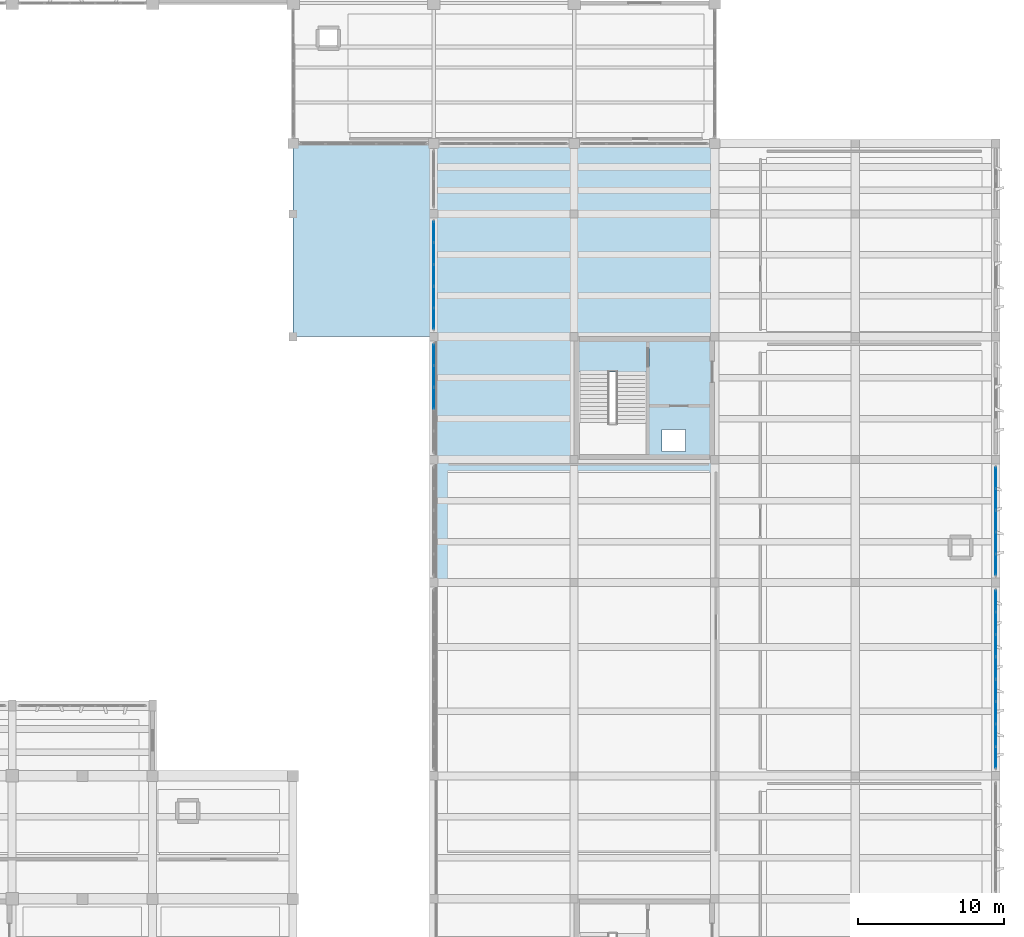
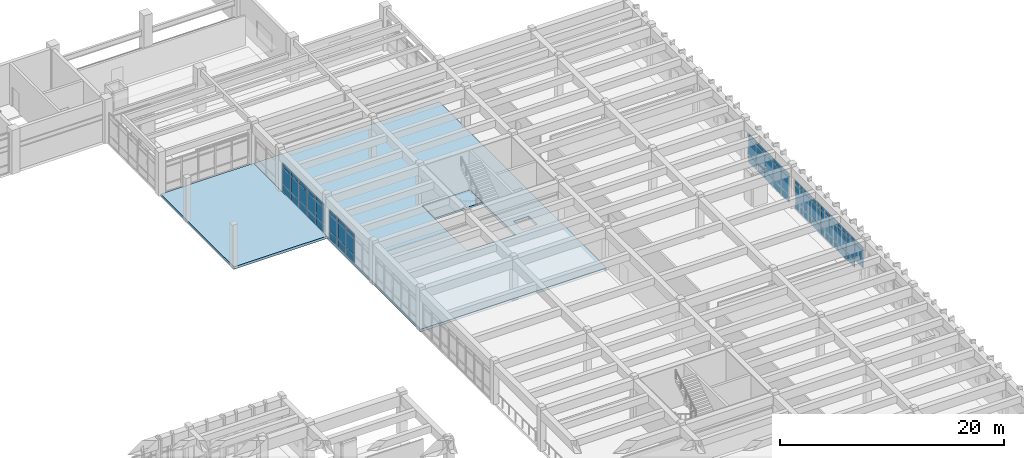
# One storey, part 56 of 86: 62 plates, 3 slabs, 4 elements without a shape of their own.
"""IFC4 building model written with IfcOpenShell, lengths in metres."""

from ifc_helpers import new_model, si_unit, direction, frame, origin, origin_2d, place, context, subcontext, project, spatial, polyline, rectangle, outline, extrude, material, layer, layer_set, type_object, element, aggregate, save


model = new_model("IFC4")

# Units and contexts
model_context = context("Model", 3, precision=1e-05, world=origin(), true_north=direction((0.0, 1.0)))
body_context = subcontext(model_context, "Body", "Model", "MODEL_VIEW")
ifc_project = project(units=[si_unit("LENGTHUNIT", "METRE"), si_unit("AREAUNIT", "SQUARE_METRE"), si_unit("VOLUMEUNIT", "CUBIC_METRE"), si_unit("PLANEANGLEUNIT", "RADIAN"), si_unit("MASSUNIT", "GRAM", prefix="KILO")], contexts=[model_context])

# Site, building, storey
site_placement = place(None, origin())
site = spatial("IfcSite", under=ifc_project, at=site_placement, CompositionType="ELEMENT")
building_placement = place(site_placement, origin())
building = spatial("IfcBuilding", under=site, at=building_placement, Name="Kolvemor Railside Polytechnic", CompositionType="ELEMENT")
storey_placement = place(building_placement, frame((0.0, 0.0, 5.39990234375)))
storey = spatial("IfcBuildingStorey", under=building, at=storey_placement, Name="L01", CompositionType="ELEMENT", Elevation=5.39990234375)

# Curtain wall, plates
ifc_material_1 = material(Name="Anodised marine aluminium and laminated low-E glass", Category="aluminium")
ifc_layer_1 = layer(ifc_material_1, 0.179931640625, Name="CW-UNIT-STD")
ifc_layer_set_1 = layer_set([ifc_layer_1], Name="Anodised marine aluminium and laminated low-E glass")
curtain_wall_type = type_object("IfcCurtainWallType", Name="CW-UNIT-STD", PredefinedType="USERDEFINED", material=ifc_layer_set_1)
curtain_wall_1_placement = place(storey_placement, origin())
curtain_wall_1 = element("IfcCurtainWall", 1, at=curtain_wall_1_placement, inside=storey, type_object=curtain_wall_type, Name="Curtain Wall L01-061", ObjectType="UNITISED CURTAIN WALL", PredefinedType="USERDEFINED")
ifc_material_2 = material(Name="Hurricane-laminated solar-control low-E glass", Category="glass")
ifc_layer_2 = layer(ifc_material_2, 0.0419921875, Name="CWP-GLZ-11")
ifc_layer_set_2 = layer_set([ifc_layer_2], Name="Hurricane-laminated solar-control low-E glass")
plate_type_1 = type_object("IfcPlateType", Name="CWP-GLZ-11", PredefinedType="CURTAIN_PANEL", material=ifc_layer_set_2)
plate_1_placement = place(storey_placement, frame((182.39990234375, 39.655029296875, 0.937744140625), z_axis=(0.0, 0.0, 1.0), x_axis=(0.0, 1.0, 0.0)))
plate_1 = element("IfcPlate", 2, at=plate_1_placement, type_object=plate_type_1, Name="CW-STD panel 1.2", PredefinedType="CURTAIN_PANEL", context=body_context, shape_type="SweptSolid", body=[
    extrude(rectangle(XDim=1.419921875, YDim=0.0419921875, at=origin_2d()), origin(), (0.0, 0.0, 1.0), 1.7548828125),
])
plate_2_placement = place(storey_placement, frame((182.39990234375, 39.655029296875, 2.767578125), z_axis=(0.0, 0.0, 1.0), x_axis=(0.0, 1.0, 0.0)))
plate_2 = element("IfcPlate", 3, at=plate_2_placement, type_object=plate_type_1, Name="CW-STD panel 1.3", PredefinedType="CURTAIN_PANEL", context=body_context, shape_type="SweptSolid", body=[
    extrude(rectangle(XDim=1.419921875, YDim=0.0419921875, at=origin_2d()), origin(), (0.0, 0.0, 1.0), 0.4375),
])
plate_3_placement = place(storey_placement, frame((182.39990234375, 41.168701171875, 0.074951171875), z_axis=(0.0, 0.0, 1.0), x_axis=(0.0, 1.0, 0.0)))
plate_3 = element("IfcPlate", 4, at=plate_3_placement, type_object=plate_type_1, Name="CW-STD panel 2.1", PredefinedType="CURTAIN_PANEL", context=body_context, shape_type="SweptSolid", body=[
    extrude(rectangle(XDim=1.45751953125, YDim=0.0419921875, at=origin_2d()), origin(), (0.0, 0.0, 1.0), 0.78759765625),
])
plate_4_placement = place(storey_placement, frame((182.39990234375, 41.168701171875, 0.937744140625), z_axis=(0.0, 0.0, 1.0), x_axis=(0.0, 1.0, 0.0)))
plate_4 = element("IfcPlate", 5, at=plate_4_placement, type_object=plate_type_1, Name="CW-STD panel 2.2", PredefinedType="CURTAIN_PANEL", context=body_context, shape_type="SweptSolid", body=[
    extrude(rectangle(XDim=1.45751953125, YDim=0.0419921875, at=origin_2d()), origin(), (0.0, 0.0, 1.0), 1.7548828125),
])
plate_5_placement = place(storey_placement, frame((182.39990234375, 41.168701171875, 2.767578125), z_axis=(0.0, 0.0, 1.0), x_axis=(0.0, 1.0, 0.0)))
plate_5 = element("IfcPlate", 6, at=plate_5_placement, type_object=plate_type_1, Name="CW-STD panel 2.3", PredefinedType="CURTAIN_PANEL", context=body_context, shape_type="SweptSolid", body=[
    extrude(rectangle(XDim=1.45751953125, YDim=0.0419921875, at=origin_2d()), origin(), (0.0, 0.0, 1.0), 0.4375),
])
plate_6_placement = place(storey_placement, frame((182.39990234375, 42.701171875, 0.074951171875), z_axis=(0.0, 0.0, 1.0), x_axis=(0.0, 1.0, 0.0)))
plate_6 = element("IfcPlate", 7, at=plate_6_placement, type_object=plate_type_1, Name="CW-STD panel 3.1", PredefinedType="CURTAIN_PANEL", context=body_context, shape_type="SweptSolid", body=[
    extrude(rectangle(XDim=1.45751953125, YDim=0.0419921875, at=origin_2d()), origin(), (0.0, 0.0, 1.0), 0.78759765625),
])
plate_7_placement = place(storey_placement, frame((182.39990234375, 42.701171875, 0.937744140625), z_axis=(0.0, 0.0, 1.0), x_axis=(0.0, 1.0, 0.0)))
plate_7 = element("IfcPlate", 8, at=plate_7_placement, type_object=plate_type_1, Name="CW-STD panel 3.2", PredefinedType="CURTAIN_PANEL", context=body_context, shape_type="SweptSolid", body=[
    extrude(rectangle(XDim=1.45751953125, YDim=0.0419921875, at=origin_2d()), origin(), (0.0, 0.0, 1.0), 1.7548828125),
])
plate_8_placement = place(storey_placement, frame((182.39990234375, 42.701171875, 2.767578125), z_axis=(0.0, 0.0, 1.0), x_axis=(0.0, 1.0, 0.0)))
plate_8 = element("IfcPlate", 9, at=plate_8_placement, type_object=plate_type_1, Name="CW-STD panel 3.3", PredefinedType="CURTAIN_PANEL", context=body_context, shape_type="SweptSolid", body=[
    extrude(rectangle(XDim=1.45751953125, YDim=0.0419921875, at=origin_2d()), origin(), (0.0, 0.0, 1.0), 0.4375),
])
plate_9_placement = place(storey_placement, frame((182.39990234375, 44.233642578125, 0.074951171875), z_axis=(0.0, 0.0, 1.0), x_axis=(0.0, 1.0, 0.0)))
plate_9 = element("IfcPlate", 10, at=plate_9_placement, type_object=plate_type_1, Name="CW-STD panel 4.1", PredefinedType="CURTAIN_PANEL", context=body_context, shape_type="SweptSolid", body=[
    extrude(rectangle(XDim=1.45751953125, YDim=0.0419921875, at=origin_2d()), origin(), (0.0, 0.0, 1.0), 0.78759765625),
])
plate_10_placement = place(storey_placement, frame((182.39990234375, 44.233642578125, 0.937744140625), z_axis=(0.0, 0.0, 1.0), x_axis=(0.0, 1.0, 0.0)))
plate_10 = element("IfcPlate", 11, at=plate_10_placement, type_object=plate_type_1, Name="CW-STD panel 4.2", PredefinedType="CURTAIN_PANEL", context=body_context, shape_type="SweptSolid", body=[
    extrude(rectangle(XDim=1.45751953125, YDim=0.0419921875, at=origin_2d()), origin(), (0.0, 0.0, 1.0), 1.7548828125),
])
plate_11_placement = place(storey_placement, frame((182.39990234375, 44.233642578125, 2.767578125), z_axis=(0.0, 0.0, 1.0), x_axis=(0.0, 1.0, 0.0)))
plate_11 = element("IfcPlate", 12, at=plate_11_placement, type_object=plate_type_1, Name="CW-STD panel 4.3", PredefinedType="CURTAIN_PANEL", context=body_context, shape_type="SweptSolid", body=[
    extrude(rectangle(XDim=1.45751953125, YDim=0.0419921875, at=origin_2d()), origin(), (0.0, 0.0, 1.0), 0.4375),
])
plate_12_placement = place(storey_placement, frame((182.39990234375, 45.766357421875, 0.074951171875), z_axis=(0.0, 0.0, 1.0), x_axis=(0.0, 1.0, 0.0)))
plate_12 = element("IfcPlate", 13, at=plate_12_placement, type_object=plate_type_1, Name="CW-STD panel 5.1", PredefinedType="CURTAIN_PANEL", context=body_context, shape_type="SweptSolid", body=[
    extrude(rectangle(XDim=1.45751953125, YDim=0.0419921875, at=origin_2d()), origin(), (0.0, 0.0, 1.0), 0.78759765625),
])
plate_13_placement = place(storey_placement, frame((182.39990234375, 45.766357421875, 0.937744140625), z_axis=(0.0, 0.0, 1.0), x_axis=(0.0, 1.0, 0.0)))
plate_13 = element("IfcPlate", 14, at=plate_13_placement, type_object=plate_type_1, Name="CW-STD panel 5.2", PredefinedType="CURTAIN_PANEL", context=body_context, shape_type="SweptSolid", body=[
    extrude(rectangle(XDim=1.45751953125, YDim=0.0419921875, at=origin_2d()), origin(), (0.0, 0.0, 1.0), 1.7548828125),
])
plate_14_placement = place(storey_placement, frame((182.39990234375, 45.766357421875, 2.767578125), z_axis=(0.0, 0.0, 1.0), x_axis=(0.0, 1.0, 0.0)))
plate_14 = element("IfcPlate", 15, at=plate_14_placement, type_object=plate_type_1, Name="CW-STD panel 5.3", PredefinedType="CURTAIN_PANEL", context=body_context, shape_type="SweptSolid", body=[
    extrude(rectangle(XDim=1.45751953125, YDim=0.0419921875, at=origin_2d()), origin(), (0.0, 0.0, 1.0), 0.4375),
])
plate_15_placement = place(storey_placement, frame((182.39990234375, 47.298828125, 0.074951171875), z_axis=(0.0, 0.0, 1.0), x_axis=(0.0, 1.0, 0.0)))
plate_15 = element("IfcPlate", 16, at=plate_15_placement, type_object=plate_type_1, Name="CW-STD panel 6.1", PredefinedType="CURTAIN_PANEL", context=body_context, shape_type="SweptSolid", body=[
    extrude(rectangle(XDim=1.45751953125, YDim=0.0419921875, at=origin_2d()), origin(), (0.0, 0.0, 1.0), 0.78759765625),
])
plate_16_placement = place(storey_placement, frame((182.39990234375, 47.298828125, 0.937744140625), z_axis=(0.0, 0.0, 1.0), x_axis=(0.0, 1.0, 0.0)))
plate_16 = element("IfcPlate", 17, at=plate_16_placement, type_object=plate_type_1, Name="CW-STD panel 6.2", PredefinedType="CURTAIN_PANEL", context=body_context, shape_type="SweptSolid", body=[
    extrude(rectangle(XDim=1.45751953125, YDim=0.0419921875, at=origin_2d()), origin(), (0.0, 0.0, 1.0), 1.7548828125),
])
plate_17_placement = place(storey_placement, frame((182.39990234375, 47.298828125, 2.767578125), z_axis=(0.0, 0.0, 1.0), x_axis=(0.0, 1.0, 0.0)))
plate_17 = element("IfcPlate", 18, at=plate_17_placement, type_object=plate_type_1, Name="CW-STD panel 6.3", PredefinedType="CURTAIN_PANEL", context=body_context, shape_type="SweptSolid", body=[
    extrude(rectangle(XDim=1.45751953125, YDim=0.0419921875, at=origin_2d()), origin(), (0.0, 0.0, 1.0), 0.4375),
])
plate_18_placement = place(storey_placement, frame((182.39990234375, 48.831298828125, 0.074951171875), z_axis=(0.0, 0.0, 1.0), x_axis=(0.0, 1.0, 0.0)))
plate_18 = element("IfcPlate", 19, at=plate_18_placement, type_object=plate_type_1, Name="CW-STD panel 7.1", PredefinedType="CURTAIN_PANEL", context=body_context, shape_type="SweptSolid", body=[
    extrude(rectangle(XDim=1.45751953125, YDim=0.0419921875, at=origin_2d()), origin(), (0.0, 0.0, 1.0), 0.78759765625),
])
plate_19_placement = place(storey_placement, frame((182.39990234375, 48.831298828125, 0.937744140625), z_axis=(0.0, 0.0, 1.0), x_axis=(0.0, 1.0, 0.0)))
plate_19 = element("IfcPlate", 20, at=plate_19_placement, type_object=plate_type_1, Name="CW-STD panel 7.2", PredefinedType="CURTAIN_PANEL", context=body_context, shape_type="SweptSolid", body=[
    extrude(rectangle(XDim=1.45751953125, YDim=0.0419921875, at=origin_2d()), origin(), (0.0, 0.0, 1.0), 1.7548828125),
])
plate_20_placement = place(storey_placement, frame((182.39990234375, 48.831298828125, 2.767578125), z_axis=(0.0, 0.0, 1.0), x_axis=(0.0, 1.0, 0.0)))
plate_20 = element("IfcPlate", 21, at=plate_20_placement, type_object=plate_type_1, Name="CW-STD panel 7.3", PredefinedType="CURTAIN_PANEL", context=body_context, shape_type="SweptSolid", body=[
    extrude(rectangle(XDim=1.45751953125, YDim=0.0419921875, at=origin_2d()), origin(), (0.0, 0.0, 1.0), 0.4375),
])
plate_21_placement = place(storey_placement, frame((182.39990234375, 50.344970703125, 0.074951171875), z_axis=(0.0, 0.0, 1.0), x_axis=(0.0, 1.0, 0.0)))
plate_21 = element("IfcPlate", 22, at=plate_21_placement, type_object=plate_type_1, Name="CW-STD panel 8.1", PredefinedType="CURTAIN_PANEL", context=body_context, shape_type="SweptSolid", body=[
    extrude(rectangle(XDim=1.419921875, YDim=0.0419921875, at=origin_2d()), origin(), (0.0, 0.0, 1.0), 0.78759765625),
])
plate_22_placement = place(storey_placement, frame((182.39990234375, 50.344970703125, 0.937744140625), z_axis=(0.0, 0.0, 1.0), x_axis=(0.0, 1.0, 0.0)))
plate_22 = element("IfcPlate", 23, at=plate_22_placement, type_object=plate_type_1, Name="CW-STD panel 8.2", PredefinedType="CURTAIN_PANEL", context=body_context, shape_type="SweptSolid", body=[
    extrude(rectangle(XDim=1.419921875, YDim=0.0419921875, at=origin_2d()), origin(), (0.0, 0.0, 1.0), 1.7548828125),
])
plate_23_placement = place(storey_placement, frame((182.39990234375, 50.344970703125, 2.767578125), z_axis=(0.0, 0.0, 1.0), x_axis=(0.0, 1.0, 0.0)))
plate_23 = element("IfcPlate", 24, at=plate_23_placement, type_object=plate_type_1, Name="CW-STD panel 8.3", PredefinedType="CURTAIN_PANEL", context=body_context, shape_type="SweptSolid", body=[
    extrude(rectangle(XDim=1.419921875, YDim=0.0419921875, at=origin_2d()), origin(), (0.0, 0.0, 1.0), 0.4375),
])
aggregate(curtain_wall_1, [plate_1, plate_2, plate_3, plate_4, plate_5, plate_6, plate_7, plate_8, plate_9, plate_10, plate_11, plate_12, plate_13, plate_14, plate_15, plate_16, plate_17, plate_18, plate_19, plate_20, plate_21, plate_22, plate_23])

curtain_wall_2_placement = place(storey_placement, origin())
curtain_wall_2 = element("IfcCurtainWall", 25, at=curtain_wall_2_placement, inside=storey, type_object=curtain_wall_type, Name="Curtain Wall L01-071", ObjectType="UNITISED CURTAIN WALL", PredefinedType="USERDEFINED")
ifc_material_3 = material(Name="Hurricane-laminated solar-control low-E glass", Category="glass")
ifc_layer_3 = layer(ifc_material_3, 0.0439453125, Name="CWP-GLZ-12")
ifc_layer_set_3 = layer_set([ifc_layer_3], Name="Hurricane-laminated solar-control low-E glass")
plate_type_2 = type_object("IfcPlateType", Name="CWP-GLZ-12", PredefinedType="CURTAIN_PANEL", material=ifc_layer_set_3)
plate_24_placement = place(storey_placement, frame((182.39990234375, 52.834716796875, 0.074951171875), z_axis=(0.0, 0.0, 1.0), x_axis=(0.0, 1.0, 0.0)))
plate_24 = element("IfcPlate", 26, at=plate_24_placement, type_object=plate_type_2, Name="CW-STD panel 1.1", PredefinedType="CURTAIN_PANEL", context=body_context, shape_type="SweptSolid", body=[
    extrude(rectangle(XDim=1.37939453125, YDim=0.0439453125, at=origin_2d()), origin(), (0.0, 0.0, 1.0), 0.78759765625),
])
plate_25_placement = place(storey_placement, frame((182.39990234375, 52.834716796875, 0.937744140625), z_axis=(0.0, 0.0, 1.0), x_axis=(0.0, 1.0, 0.0)))
plate_25 = element("IfcPlate", 27, at=plate_25_placement, type_object=plate_type_2, Name="CW-STD panel 1.2", PredefinedType="CURTAIN_PANEL", context=body_context, shape_type="SweptSolid", body=[
    extrude(rectangle(XDim=1.37939453125, YDim=0.0439453125, at=origin_2d()), origin(), (0.0, 0.0, 1.0), 1.7548828125),
])
plate_26_placement = place(storey_placement, frame((182.39990234375, 52.834716796875, 2.767578125), z_axis=(0.0, 0.0, 1.0), x_axis=(0.0, 1.0, 0.0)))
plate_26 = element("IfcPlate", 28, at=plate_26_placement, type_object=plate_type_2, Name="CW-STD panel 1.3", PredefinedType="CURTAIN_PANEL", context=body_context, shape_type="SweptSolid", body=[
    extrude(rectangle(XDim=1.37939453125, YDim=0.0439453125, at=origin_2d()), origin(), (0.0, 0.0, 1.0), 0.4375),
])
plate_27_placement = place(storey_placement, frame((182.39990234375, 54.30810546875, 0.074951171875), z_axis=(0.0, 0.0, 1.0), x_axis=(0.0, 1.0, 0.0)))
plate_27 = element("IfcPlate", 29, at=plate_27_placement, type_object=plate_type_2, Name="CW-STD panel 2.1", PredefinedType="CURTAIN_PANEL", context=body_context, shape_type="SweptSolid", body=[
    extrude(rectangle(XDim=1.4169921875, YDim=0.0439453125, at=origin_2d()), origin(), (0.0, 0.0, 1.0), 0.78759765625),
])
plate_28_placement = place(storey_placement, frame((182.39990234375, 54.30810546875, 0.937744140625), z_axis=(0.0, 0.0, 1.0), x_axis=(0.0, 1.0, 0.0)))
plate_28 = element("IfcPlate", 30, at=plate_28_placement, type_object=plate_type_2, Name="CW-STD panel 2.2", PredefinedType="CURTAIN_PANEL", context=body_context, shape_type="SweptSolid", body=[
    extrude(rectangle(XDim=1.4169921875, YDim=0.0439453125, at=origin_2d()), origin(), (0.0, 0.0, 1.0), 1.7548828125),
])
plate_29_placement = place(storey_placement, frame((182.39990234375, 54.30810546875, 2.767578125), z_axis=(0.0, 0.0, 1.0), x_axis=(0.0, 1.0, 0.0)))
plate_29 = element("IfcPlate", 31, at=plate_29_placement, type_object=plate_type_2, Name="CW-STD panel 2.3", PredefinedType="CURTAIN_PANEL", context=body_context, shape_type="SweptSolid", body=[
    extrude(rectangle(XDim=1.4169921875, YDim=0.0439453125, at=origin_2d()), origin(), (0.0, 0.0, 1.0), 0.4375),
])
plate_30_placement = place(storey_placement, frame((182.39990234375, 55.800048828125, 0.074951171875), z_axis=(0.0, 0.0, 1.0), x_axis=(0.0, 1.0, 0.0)))
plate_30 = element("IfcPlate", 32, at=plate_30_placement, type_object=plate_type_2, Name="CW-STD panel 3.1", PredefinedType="CURTAIN_PANEL", context=body_context, shape_type="SweptSolid", body=[
    extrude(rectangle(XDim=1.4169921875, YDim=0.0439453125, at=origin_2d()), origin(), (0.0, 0.0, 1.0), 0.78759765625),
])
plate_31_placement = place(storey_placement, frame((182.39990234375, 55.800048828125, 0.937744140625), z_axis=(0.0, 0.0, 1.0), x_axis=(0.0, 1.0, 0.0)))
plate_31 = element("IfcPlate", 33, at=plate_31_placement, type_object=plate_type_2, Name="CW-STD panel 3.2", PredefinedType="CURTAIN_PANEL", context=body_context, shape_type="SweptSolid", body=[
    extrude(rectangle(XDim=1.4169921875, YDim=0.0439453125, at=origin_2d()), origin(), (0.0, 0.0, 1.0), 1.7548828125),
])
plate_32_placement = place(storey_placement, frame((182.39990234375, 55.800048828125, 2.767578125), z_axis=(0.0, 0.0, 1.0), x_axis=(0.0, 1.0, 0.0)))
plate_32 = element("IfcPlate", 34, at=plate_32_placement, type_object=plate_type_2, Name="CW-STD panel 3.3", PredefinedType="CURTAIN_PANEL", context=body_context, shape_type="SweptSolid", body=[
    extrude(rectangle(XDim=1.4169921875, YDim=0.0439453125, at=origin_2d()), origin(), (0.0, 0.0, 1.0), 0.4375),
])
plate_33_placement = place(storey_placement, frame((182.39990234375, 57.2919921875, 0.074951171875), z_axis=(0.0, 0.0, 1.0), x_axis=(0.0, 1.0, 0.0)))
plate_33 = element("IfcPlate", 35, at=plate_33_placement, type_object=plate_type_2, Name="CW-STD panel 4.1", PredefinedType="CURTAIN_PANEL", context=body_context, shape_type="SweptSolid", body=[
    extrude(rectangle(XDim=1.4169921875, YDim=0.0439453125, at=origin_2d()), origin(), (0.0, 0.0, 1.0), 0.78759765625),
])
plate_34_placement = place(storey_placement, frame((182.39990234375, 57.2919921875, 0.937744140625), z_axis=(0.0, 0.0, 1.0), x_axis=(0.0, 1.0, 0.0)))
plate_34 = element("IfcPlate", 36, at=plate_34_placement, type_object=plate_type_2, Name="CW-STD panel 4.2", PredefinedType="CURTAIN_PANEL", context=body_context, shape_type="SweptSolid", body=[
    extrude(rectangle(XDim=1.4169921875, YDim=0.0439453125, at=origin_2d()), origin(), (0.0, 0.0, 1.0), 1.7548828125),
])
plate_35_placement = place(storey_placement, frame((182.39990234375, 57.2919921875, 2.767578125), z_axis=(0.0, 0.0, 1.0), x_axis=(0.0, 1.0, 0.0)))
plate_35 = element("IfcPlate", 37, at=plate_35_placement, type_object=plate_type_2, Name="CW-STD panel 4.3", PredefinedType="CURTAIN_PANEL", context=body_context, shape_type="SweptSolid", body=[
    extrude(rectangle(XDim=1.4169921875, YDim=0.0439453125, at=origin_2d()), origin(), (0.0, 0.0, 1.0), 0.4375),
])
plate_36_placement = place(storey_placement, frame((182.39990234375, 58.76513671875, 0.074951171875), z_axis=(0.0, 0.0, 1.0), x_axis=(0.0, 1.0, 0.0)))
plate_36 = element("IfcPlate", 38, at=plate_36_placement, type_object=plate_type_2, Name="CW-STD panel 5.1", PredefinedType="CURTAIN_PANEL", context=body_context, shape_type="SweptSolid", body=[
    extrude(rectangle(XDim=1.37939453125, YDim=0.0439453125, at=origin_2d()), origin(), (0.0, 0.0, 1.0), 0.78759765625),
])
plate_37_placement = place(storey_placement, frame((182.39990234375, 58.76513671875, 0.937744140625), z_axis=(0.0, 0.0, 1.0), x_axis=(0.0, 1.0, 0.0)))
plate_37 = element("IfcPlate", 39, at=plate_37_placement, type_object=plate_type_2, Name="CW-STD panel 5.2", PredefinedType="CURTAIN_PANEL", context=body_context, shape_type="SweptSolid", body=[
    extrude(rectangle(XDim=1.37939453125, YDim=0.0439453125, at=origin_2d()), origin(), (0.0, 0.0, 1.0), 1.7548828125),
])
plate_38_placement = place(storey_placement, frame((182.39990234375, 58.76513671875, 2.767578125), z_axis=(0.0, 0.0, 1.0), x_axis=(0.0, 1.0, 0.0)))
plate_38 = element("IfcPlate", 40, at=plate_38_placement, type_object=plate_type_2, Name="CW-STD panel 5.3", PredefinedType="CURTAIN_PANEL", context=body_context, shape_type="SweptSolid", body=[
    extrude(rectangle(XDim=1.37939453125, YDim=0.0439453125, at=origin_2d()), origin(), (0.0, 0.0, 1.0), 0.4375),
])
aggregate(curtain_wall_2, [plate_24, plate_25, plate_26, plate_27, plate_28, plate_29, plate_30, plate_31, plate_32, plate_33, plate_34, plate_35, plate_36, plate_37, plate_38])

curtain_wall_3_placement = place(storey_placement, origin())
curtain_wall_3 = element("IfcCurtainWall", 41, at=curtain_wall_3_placement, inside=storey, type_object=curtain_wall_type, Name="Curtain Wall L01-080", ObjectType="UNITISED CURTAIN WALL", PredefinedType="USERDEFINED")
ifc_material_4 = material(Name="Hurricane-laminated solar-control low-E glass", Category="glass")
ifc_layer_4 = layer(ifc_material_4, 0.050048828125, Name="CWP-GLZ-15")
ifc_layer_set_4 = layer_set([ifc_layer_4], Name="Hurricane-laminated solar-control low-E glass")
plate_type_3 = type_object("IfcPlateType", Name="CWP-GLZ-15", PredefinedType="CURTAIN_PANEL", material=ifc_layer_set_4)
plate_39_placement = place(storey_placement, frame((144.0, 67.165283203125, 0.074951171875), z_axis=(0.0, 0.0, 1.0), x_axis=(0.0, -1.0, 0.0)))
plate_39 = element("IfcPlate", 42, at=plate_39_placement, type_object=plate_type_3, Name="CW-STD panel 1.1", PredefinedType="CURTAIN_PANEL", context=body_context, shape_type="SweptSolid", body=[
    extrude(rectangle(XDim=1.37939453125, YDim=0.050048828125, at=origin_2d()), origin(), (0.0, 0.0, 1.0), 0.78759765625),
])
plate_40_placement = place(storey_placement, frame((144.0, 67.165283203125, 0.937744140625), z_axis=(0.0, 0.0, 1.0), x_axis=(0.0, -1.0, 0.0)))
plate_40 = element("IfcPlate", 43, at=plate_40_placement, type_object=plate_type_3, Name="CW-STD panel 1.2", PredefinedType="CURTAIN_PANEL", context=body_context, shape_type="SweptSolid", body=[
    extrude(rectangle(XDim=1.37939453125, YDim=0.050048828125, at=origin_2d()), origin(), (0.0, 0.0, 1.0), 1.7548828125),
])
plate_41_placement = place(storey_placement, frame((144.0, 67.165283203125, 2.767578125), z_axis=(0.0, 0.0, 1.0), x_axis=(0.0, -1.0, 0.0)))
plate_41 = element("IfcPlate", 44, at=plate_41_placement, type_object=plate_type_3, Name="CW-STD panel 1.3", PredefinedType="CURTAIN_PANEL", context=body_context, shape_type="SweptSolid", body=[
    extrude(rectangle(XDim=1.37939453125, YDim=0.050048828125, at=origin_2d()), origin(), (0.0, 0.0, 1.0), 0.4375),
])
plate_42_placement = place(storey_placement, frame((144.0, 65.69189453125, 0.074951171875), z_axis=(0.0, 0.0, 1.0), x_axis=(0.0, -1.0, 0.0)))
plate_42 = element("IfcPlate", 45, at=plate_42_placement, type_object=plate_type_3, Name="CW-STD panel 2.1", PredefinedType="CURTAIN_PANEL", context=body_context, shape_type="SweptSolid", body=[
    extrude(rectangle(XDim=1.4169921875, YDim=0.050048828125, at=origin_2d()), origin(), (0.0, 0.0, 1.0), 0.78759765625),
])
plate_43_placement = place(storey_placement, frame((144.0, 65.69189453125, 0.937744140625), z_axis=(0.0, 0.0, 1.0), x_axis=(0.0, -1.0, 0.0)))
plate_43 = element("IfcPlate", 46, at=plate_43_placement, type_object=plate_type_3, Name="CW-STD panel 2.2", PredefinedType="CURTAIN_PANEL", context=body_context, shape_type="SweptSolid", body=[
    extrude(rectangle(XDim=1.4169921875, YDim=0.050048828125, at=origin_2d()), origin(), (0.0, 0.0, 1.0), 1.7548828125),
])
plate_44_placement = place(storey_placement, frame((144.0, 65.69189453125, 2.767578125), z_axis=(0.0, 0.0, 1.0), x_axis=(0.0, -1.0, 0.0)))
plate_44 = element("IfcPlate", 47, at=plate_44_placement, type_object=plate_type_3, Name="CW-STD panel 2.3", PredefinedType="CURTAIN_PANEL", context=body_context, shape_type="SweptSolid", body=[
    extrude(rectangle(XDim=1.4169921875, YDim=0.050048828125, at=origin_2d()), origin(), (0.0, 0.0, 1.0), 0.4375),
])
plate_45_placement = place(storey_placement, frame((144.0, 64.199951171875, 0.074951171875), z_axis=(0.0, 0.0, 1.0), x_axis=(0.0, -1.0, 0.0)))
plate_45 = element("IfcPlate", 48, at=plate_45_placement, type_object=plate_type_3, Name="CW-STD panel 3.1", PredefinedType="CURTAIN_PANEL", context=body_context, shape_type="SweptSolid", body=[
    extrude(rectangle(XDim=1.4169921875, YDim=0.050048828125, at=origin_2d()), origin(), (0.0, 0.0, 1.0), 0.78759765625),
])
plate_46_placement = place(storey_placement, frame((144.0, 64.199951171875, 0.937744140625), z_axis=(0.0, 0.0, 1.0), x_axis=(0.0, -1.0, 0.0)))
plate_46 = element("IfcPlate", 49, at=plate_46_placement, type_object=plate_type_3, Name="CW-STD panel 3.2", PredefinedType="CURTAIN_PANEL", context=body_context, shape_type="SweptSolid", body=[
    extrude(rectangle(XDim=1.4169921875, YDim=0.050048828125, at=origin_2d()), origin(), (0.0, 0.0, 1.0), 1.7548828125),
])
plate_47_placement = place(storey_placement, frame((144.0, 64.199951171875, 2.767578125), z_axis=(0.0, 0.0, 1.0), x_axis=(0.0, -1.0, 0.0)))
plate_47 = element("IfcPlate", 50, at=plate_47_placement, type_object=plate_type_3, Name="CW-STD panel 3.3", PredefinedType="CURTAIN_PANEL", context=body_context, shape_type="SweptSolid", body=[
    extrude(rectangle(XDim=1.4169921875, YDim=0.050048828125, at=origin_2d()), origin(), (0.0, 0.0, 1.0), 0.4375),
])
aggregate(curtain_wall_3, [plate_39, plate_40, plate_41, plate_42, plate_43, plate_44, plate_45, plate_46, plate_47])

curtain_wall_4_placement = place(storey_placement, origin())
curtain_wall_4 = element("IfcCurtainWall", 51, at=curtain_wall_4_placement, inside=storey, type_object=curtain_wall_type, Name="Curtain Wall L01-087", ObjectType="UNITISED CURTAIN WALL", PredefinedType="USERDEFINED")
ifc_material_5 = material(Name="Hurricane-laminated solar-control low-E glass", Category="glass")
ifc_layer_5 = layer(ifc_material_5, 0.052001953125, Name="CWP-GLZ-16")
ifc_layer_set_5 = layer_set([ifc_layer_5], Name="Hurricane-laminated solar-control low-E glass")
plate_type_4 = type_object("IfcPlateType", Name="CWP-GLZ-16", PredefinedType="CURTAIN_PANEL", material=ifc_layer_set_5)
plate_48_placement = place(storey_placement, frame((144.0, 75.565185546875, 0.074951171875), z_axis=(0.0, 0.0, 1.0), x_axis=(0.0, -1.0, 0.0)))
plate_48 = element("IfcPlate", 52, at=plate_48_placement, type_object=plate_type_4, Name="CW-STD panel 1.1", PredefinedType="CURTAIN_PANEL", context=body_context, shape_type="SweptSolid", body=[
    extrude(rectangle(XDim=1.37939453125, YDim=0.052001953125, at=origin_2d()), origin(), (0.0, 0.0, 1.0), 0.78759765625),
])
plate_49_placement = place(storey_placement, frame((144.0, 75.565185546875, 0.937744140625), z_axis=(0.0, 0.0, 1.0), x_axis=(0.0, -1.0, 0.0)))
plate_49 = element("IfcPlate", 53, at=plate_49_placement, type_object=plate_type_4, Name="CW-STD panel 1.2", PredefinedType="CURTAIN_PANEL", context=body_context, shape_type="SweptSolid", body=[
    extrude(rectangle(XDim=1.37939453125, YDim=0.052001953125, at=origin_2d()), origin(), (0.0, 0.0, 1.0), 1.7548828125),
])
plate_50_placement = place(storey_placement, frame((144.0, 75.565185546875, 2.767578125), z_axis=(0.0, 0.0, 1.0), x_axis=(0.0, -1.0, 0.0)))
plate_50 = element("IfcPlate", 54, at=plate_50_placement, type_object=plate_type_4, Name="CW-STD panel 1.3", PredefinedType="CURTAIN_PANEL", context=body_context, shape_type="SweptSolid", body=[
    extrude(rectangle(XDim=1.37939453125, YDim=0.052001953125, at=origin_2d()), origin(), (0.0, 0.0, 1.0), 0.4375),
])
plate_51_placement = place(storey_placement, frame((144.0, 74.092041015625, 0.074951171875), z_axis=(0.0, 0.0, 1.0), x_axis=(0.0, -1.0, 0.0)))
plate_51 = element("IfcPlate", 55, at=plate_51_placement, type_object=plate_type_4, Name="CW-STD panel 2.1", PredefinedType="CURTAIN_PANEL", context=body_context, shape_type="SweptSolid", body=[
    extrude(rectangle(XDim=1.4169921875, YDim=0.052001953125, at=origin_2d()), origin(), (0.0, 0.0, 1.0), 0.78759765625),
])
plate_52_placement = place(storey_placement, frame((144.0, 74.092041015625, 0.937744140625), z_axis=(0.0, 0.0, 1.0), x_axis=(0.0, -1.0, 0.0)))
plate_52 = element("IfcPlate", 56, at=plate_52_placement, type_object=plate_type_4, Name="CW-STD panel 2.2", PredefinedType="CURTAIN_PANEL", context=body_context, shape_type="SweptSolid", body=[
    extrude(rectangle(XDim=1.4169921875, YDim=0.052001953125, at=origin_2d()), origin(), (0.0, 0.0, 1.0), 1.7548828125),
])
plate_53_placement = place(storey_placement, frame((144.0, 74.092041015625, 2.767578125), z_axis=(0.0, 0.0, 1.0), x_axis=(0.0, -1.0, 0.0)))
plate_53 = element("IfcPlate", 57, at=plate_53_placement, type_object=plate_type_4, Name="CW-STD panel 2.3", PredefinedType="CURTAIN_PANEL", context=body_context, shape_type="SweptSolid", body=[
    extrude(rectangle(XDim=1.4169921875, YDim=0.052001953125, at=origin_2d()), origin(), (0.0, 0.0, 1.0), 0.4375),
])
plate_54_placement = place(storey_placement, frame((144.0, 72.60009765625, 0.074951171875), z_axis=(0.0, 0.0, 1.0), x_axis=(0.0, -1.0, 0.0)))
plate_54 = element("IfcPlate", 58, at=plate_54_placement, type_object=plate_type_4, Name="CW-STD panel 3.1", PredefinedType="CURTAIN_PANEL", context=body_context, shape_type="SweptSolid", body=[
    extrude(rectangle(XDim=1.4169921875, YDim=0.052001953125, at=origin_2d()), origin(), (0.0, 0.0, 1.0), 0.78759765625),
])
plate_55_placement = place(storey_placement, frame((144.0, 72.60009765625, 0.937744140625), z_axis=(0.0, 0.0, 1.0), x_axis=(0.0, -1.0, 0.0)))
plate_55 = element("IfcPlate", 59, at=plate_55_placement, type_object=plate_type_4, Name="CW-STD panel 3.2", PredefinedType="CURTAIN_PANEL", context=body_context, shape_type="SweptSolid", body=[
    extrude(rectangle(XDim=1.4169921875, YDim=0.052001953125, at=origin_2d()), origin(), (0.0, 0.0, 1.0), 1.7548828125),
])
plate_56_placement = place(storey_placement, frame((144.0, 72.60009765625, 2.767578125), z_axis=(0.0, 0.0, 1.0), x_axis=(0.0, -1.0, 0.0)))
plate_56 = element("IfcPlate", 60, at=plate_56_placement, type_object=plate_type_4, Name="CW-STD panel 3.3", PredefinedType="CURTAIN_PANEL", context=body_context, shape_type="SweptSolid", body=[
    extrude(rectangle(XDim=1.4169921875, YDim=0.052001953125, at=origin_2d()), origin(), (0.0, 0.0, 1.0), 0.4375),
])
plate_57_placement = place(storey_placement, frame((144.0, 71.10791015625, 0.074951171875), z_axis=(0.0, 0.0, 1.0), x_axis=(0.0, -1.0, 0.0)))
plate_57 = element("IfcPlate", 61, at=plate_57_placement, type_object=plate_type_4, Name="CW-STD panel 4.1", PredefinedType="CURTAIN_PANEL", context=body_context, shape_type="SweptSolid", body=[
    extrude(rectangle(XDim=1.4169921875, YDim=0.052001953125, at=origin_2d()), origin(), (0.0, 0.0, 1.0), 0.78759765625),
])
plate_58_placement = place(storey_placement, frame((144.0, 71.10791015625, 0.937744140625), z_axis=(0.0, 0.0, 1.0), x_axis=(0.0, -1.0, 0.0)))
plate_58 = element("IfcPlate", 62, at=plate_58_placement, type_object=plate_type_4, Name="CW-STD panel 4.2", PredefinedType="CURTAIN_PANEL", context=body_context, shape_type="SweptSolid", body=[
    extrude(rectangle(XDim=1.4169921875, YDim=0.052001953125, at=origin_2d()), origin(), (0.0, 0.0, 1.0), 1.7548828125),
])
plate_59_placement = place(storey_placement, frame((144.0, 71.10791015625, 2.767578125), z_axis=(0.0, 0.0, 1.0), x_axis=(0.0, -1.0, 0.0)))
plate_59 = element("IfcPlate", 63, at=plate_59_placement, type_object=plate_type_4, Name="CW-STD panel 4.3", PredefinedType="CURTAIN_PANEL", context=body_context, shape_type="SweptSolid", body=[
    extrude(rectangle(XDim=1.4169921875, YDim=0.052001953125, at=origin_2d()), origin(), (0.0, 0.0, 1.0), 0.4375),
])
plate_60_placement = place(storey_placement, frame((144.0, 69.634765625, 0.074951171875), z_axis=(0.0, 0.0, 1.0), x_axis=(0.0, -1.0, 0.0)))
plate_60 = element("IfcPlate", 64, at=plate_60_placement, type_object=plate_type_4, Name="CW-STD panel 5.1", PredefinedType="CURTAIN_PANEL", context=body_context, shape_type="SweptSolid", body=[
    extrude(rectangle(XDim=1.37939453125, YDim=0.052001953125, at=origin_2d()), origin(), (0.0, 0.0, 1.0), 0.78759765625),
])
plate_61_placement = place(storey_placement, frame((144.0, 69.634765625, 0.937744140625), z_axis=(0.0, 0.0, 1.0), x_axis=(0.0, -1.0, 0.0)))
plate_61 = element("IfcPlate", 65, at=plate_61_placement, type_object=plate_type_4, Name="CW-STD panel 5.2", PredefinedType="CURTAIN_PANEL", context=body_context, shape_type="SweptSolid", body=[
    extrude(rectangle(XDim=1.37939453125, YDim=0.052001953125, at=origin_2d()), origin(), (0.0, 0.0, 1.0), 1.7548828125),
])
plate_62_placement = place(storey_placement, frame((144.0, 69.634765625, 2.767578125), z_axis=(0.0, 0.0, 1.0), x_axis=(0.0, -1.0, 0.0)))
plate_62 = element("IfcPlate", 66, at=plate_62_placement, type_object=plate_type_4, Name="CW-STD panel 5.3", PredefinedType="CURTAIN_PANEL", context=body_context, shape_type="SweptSolid", body=[
    extrude(rectangle(XDim=1.37939453125, YDim=0.052001953125, at=origin_2d()), origin(), (0.0, 0.0, 1.0), 0.4375),
])
aggregate(curtain_wall_4, [plate_48, plate_49, plate_50, plate_51, plate_52, plate_53, plate_54, plate_55, plate_56, plate_57, plate_58, plate_59, plate_60, plate_61, plate_62])

# Slabs
ifc_material_6 = material(Name="Concrete C40/50", Category="concrete")
ifc_layer_6 = layer(ifc_material_6, 0.199951171875, Name="SLB-LND-200")
ifc_layer_set_6 = layer_set([ifc_layer_6], Name="Concrete C40/50")
slab_type_1 = type_object("IfcSlabType", Name="SLB-LND-200", PredefinedType="LANDING", material=ifc_layer_set_6)
slab_1_placement = place(storey_placement, frame((0.0, 0.0, -0.199951171875)))
element("IfcSlab", 67, at=slab_1_placement, inside=storey, type_object=slab_type_1, Name="ST-7 Floor Landing L01", PredefinedType="LANDING", context=body_context, shape_type="SweptSolid", body=[
    extrude(outline(polyline([(153.760009765625, 66.0), (158.68994140625, 66.0), (158.68994140625, 68.239990234375), (153.760009765625, 68.239990234375), (153.760009765625, 66.0)])), origin(), (0.0, 0.0, 1.0), 0.199951171875),
])
ifc_material_7 = material(Name="Concrete C40/50", Category="concrete")
ifc_layer_7 = layer(ifc_material_7, 0.280029296875, Name="SLB-POD-L01")
ifc_layer_set_7 = layer_set([ifc_layer_7], Name="Concrete C40/50")
slab_type_2 = type_object("IfcSlabType", Name="SLB-POD-L01", PredefinedType="FLOOR", material=ifc_layer_set_7)
slab_2_placement = place(storey_placement, frame((0.0, 0.0, -0.27978515625)))
element("IfcSlab", 68, at=slab_2_placement, inside=storey, type_object=slab_type_2, Name="Union Wing L01 Slab L01-56", PredefinedType="FLOOR", context=body_context, shape_type="SweptSolid", body=[
    extrude(outline(polyline([(144.0, 51.60009765625), (163.199951171875, 51.60009765625), (163.199951171875, 81.52490234375), (144.0, 81.52490234375), (144.0, 51.60009765625)]), holes=[polyline([(153.739990234375, 60.139892578125), (158.7099609375, 60.139892578125), (158.7099609375, 68.260009765625), (153.739990234375, 68.260009765625), (153.739990234375, 60.139892578125)]), polyline([(159.60009765625, 60.550048828125), (161.199951171875, 60.550048828125), (161.199951171875, 62.050048828125), (159.60009765625, 62.050048828125), (159.60009765625, 60.550048828125)])]), origin(), (0.0, 0.0, 1.0), 0.27978515625),
])
slab_3_placement = place(storey_placement, frame((0.0, 0.0, -0.27978515625)))
element("IfcSlab", 69, at=slab_3_placement, inside=storey, type_object=slab_type_2, Name="Union North Entry L01 Slab L01-61", PredefinedType="FLOOR", context=body_context, shape_type="SweptSolid", body=[
    extrude(outline(polyline([(134.39990234375, 68.39990234375), (144.0, 68.39990234375), (144.0, 81.52490234375), (134.39990234375, 81.52490234375), (134.39990234375, 68.39990234375)])), origin(), (0.0, 0.0, 1.0), 0.27978515625),
])

save(model, "model.ifc")
